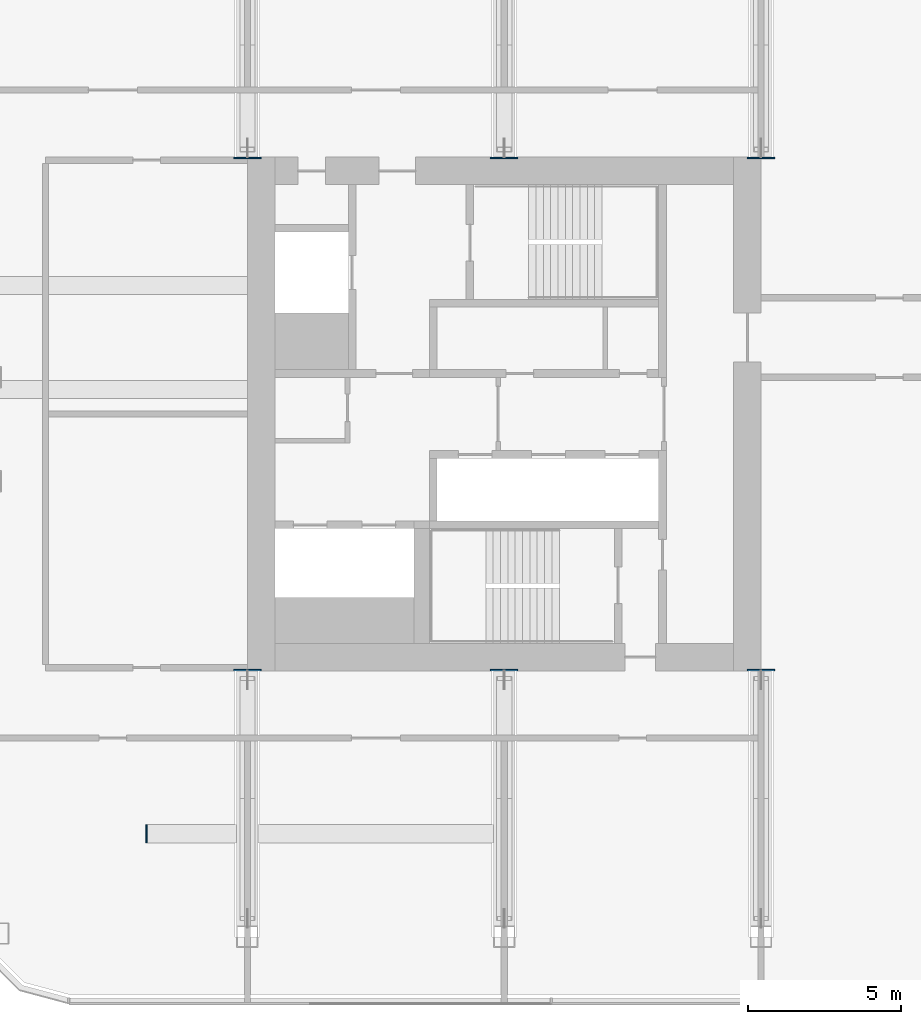
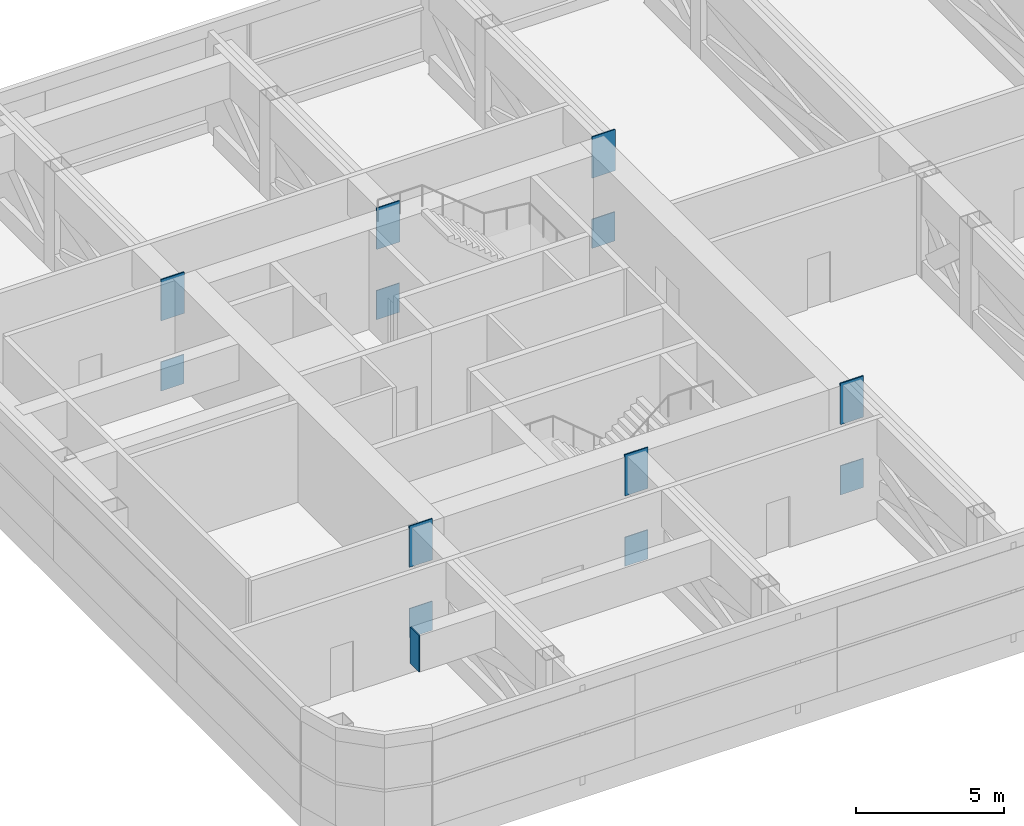
# One storey, part 20 of 33: 13 discrete accessories.
"""IFC4 building model written with IfcOpenShell, lengths in metres."""

from ifc_helpers import new_model, si_unit, direction, frame, origin, origin_2d, place, context, subcontext, project, spatial, rectangle, extrude, material, material_profile, profile_set, type_object, element, save


model = new_model("IFC4")

# Units and contexts
model_context = context("Model", 3, precision=1e-05, world=origin(), true_north=direction((0.0, 1.0)))
body_context = subcontext(model_context, "Body", "Model", "MODEL_VIEW")
ifc_project = project(units=[si_unit("LENGTHUNIT", "METRE"), si_unit("AREAUNIT", "SQUARE_METRE"), si_unit("VOLUMEUNIT", "CUBIC_METRE"), si_unit("PLANEANGLEUNIT", "RADIAN"), si_unit("MASSUNIT", "GRAM", prefix="KILO")], contexts=[model_context])

# Site, building, storey
site_placement = place(None, origin())
site = spatial("IfcSite", under=ifc_project, at=site_placement, CompositionType="ELEMENT")
building_placement = place(site_placement, origin())
building = spatial("IfcBuilding", under=site, at=building_placement, Name="Hakoniwa Tower and Hamabe Station Hall", CompositionType="ELEMENT")
storey_placement = place(building_placement, frame((0.0, 0.0, 175.800048828125)))
storey = spatial("IfcBuildingStorey", under=building, at=storey_placement, Name="L50", CompositionType="ELEMENT", Elevation=175.800048828125)

# Discrete accessories
ifc_material_1 = material(Name="Steel SN490C", Category="steel")
ifc_material_profile_1 = material_profile(ifc_material_1, rectangle(XDim=0.89990234375, YDim=1.199951171875, at=origin_2d()), Name="CAST-IN PLATE BX-1000x700x40")
ifc_profile_set_1 = profile_set([ifc_material_profile_1], Name="Steel SN490C")
discrete_accessory_type_1 = type_object("IfcDiscreteAccessoryType", Name="CAST-IN PLATE BX-1000x700x40", PredefinedType="ANCHORPLATE", material=ifc_profile_set_1)
for number, where, z_axis, x_axis, name in (
    (1, (-33.60009765625, -8.364990234375, 0.199951171875), (0.0, -1.0, 0.0), (1.0, 0.0, 0.0), "Cast-in plate T3-05-BC01"),
    (2, (-33.60009765625, 8.364990234375, 0.199951171875), (0.0, 1.0, 0.0), (-1.0, 0.0, 0.0), "Cast-in plate T3-06-BC01"),
    (3, (-25.199951171875, -8.364990234375, 0.199951171875), (0.0, -1.0, 0.0), (1.0, 0.0, 0.0), "Cast-in plate T3-07-BC01"),
    (4, (-25.199951171875, 8.364990234375, 0.199951171875), (0.0, 1.0, 0.0), (-1.0, 0.0, 0.0), "Cast-in plate T3-08-BC01"),
    (5, (-16.800048828125, -8.364990234375, 0.199951171875), (0.0, -1.0, 0.0), (1.0, 0.0, 0.0), "Cast-in plate T3-09-BC01"),
    (6, (-16.800048828125, 8.364990234375, 0.199951171875), (0.0, 1.0, 0.0), (-1.0, 0.0, 0.0), "Cast-in plate T3-10-BC01"),
):
    element("IfcDiscreteAccessory", number, at=place(storey_placement, frame(where, z_axis=z_axis, x_axis=x_axis)), inside=storey, type_object=discrete_accessory_type_1, Name=name, PredefinedType="ANCHORPLATE", context=body_context, shape_type="SweptSolid", body=[
        extrude(rectangle(XDim=0.89990234375, YDim=1.199951171875, at=origin_2d()), origin(), (0.0, 0.0, 1.0), 0.034912109375),
    ])
ifc_material_2 = material(Name="Steel SN490C", Category="steel")
ifc_material_profile_2 = material_profile(ifc_material_2, rectangle(XDim=0.89990234375, YDim=1.699951171875, at=origin_2d()), Name="CAST-IN PLATE BX-1500x700x55")
ifc_profile_set_2 = profile_set([ifc_material_profile_2], Name="Steel SN490C")
discrete_accessory_type_2 = type_object("IfcDiscreteAccessoryType", Name="CAST-IN PLATE BX-1500x700x55", PredefinedType="ANCHORPLATE", material=ifc_profile_set_2)
for number, where, z_axis, x_axis, name in (
    (7, (-33.60009765625, -8.35498046875, 3.349853515625), (0.0, -1.0, 0.0), (1.0, 0.0, 0.0), "Cast-in plate T3-05-TC01"),
    (8, (-33.60009765625, 8.35498046875, 3.349853515625), (0.0, 1.0, 0.0), (-1.0, 0.0, 0.0), "Cast-in plate T3-06-TC01"),
    (9, (-25.199951171875, -8.35498046875, 3.349853515625), (0.0, -1.0, 0.0), (1.0, 0.0, 0.0), "Cast-in plate T3-07-TC01"),
    (10, (-25.199951171875, 8.35498046875, 3.349853515625), (0.0, 1.0, 0.0), (-1.0, 0.0, 0.0), "Cast-in plate T3-08-TC01"),
    (11, (-16.800048828125, -8.35498046875, 3.349853515625), (0.0, -1.0, 0.0), (1.0, 0.0, 0.0), "Cast-in plate T3-09-TC01"),
    (12, (-16.800048828125, 8.35498046875, 3.349853515625), (0.0, 1.0, 0.0), (-1.0, 0.0, 0.0), "Cast-in plate T3-10-TC01"),
):
    element("IfcDiscreteAccessory", number, at=place(storey_placement, frame(where, z_axis=z_axis, x_axis=x_axis)), inside=storey, type_object=discrete_accessory_type_2, Name=name, PredefinedType="ANCHORPLATE", context=body_context, shape_type="SweptSolid", body=[
        extrude(rectangle(XDim=0.89990234375, YDim=1.699951171875, at=origin_2d()), origin(), (0.0, 0.0, 1.0), 0.044921875),
    ])
ifc_material_3 = material(Name="Steel SN490C", Category="steel")
ifc_material_profile_3 = material_profile(ifc_material_3, rectangle(XDim=0.60009765625, YDim=1.5, at=origin_2d()), Name="END CAP PLATE BX-1500x600x55")
ifc_profile_set_3 = profile_set([ifc_material_profile_3], Name="Steel SN490C")
discrete_accessory_type_3 = type_object("IfcDiscreteAccessoryType", Name="END CAP PLATE BX-1500x600x55", PredefinedType="USERDEFINED", material=ifc_profile_set_3)
discrete_accessory_placement = place(storey_placement, frame((-36.923095703125, -13.72802734375, 3.349853515625), z_axis=(1.0, 0.0, 0.0), x_axis=(0.0, 1.0, 0.0)))
element("IfcDiscreteAccessory", 13, at=discrete_accessory_placement, inside=storey, type_object=discrete_accessory_type_3, Name="End cap plate L50-XG1", ObjectType="END CAP PLATE", PredefinedType="USERDEFINED", context=body_context, shape_type="SweptSolid", body=[
    extrude(rectangle(XDim=0.60009765625, YDim=1.5, at=origin_2d()), origin(), (0.0, 0.0, 1.0), 0.045166015625),
])

save(model, "model.ifc")
